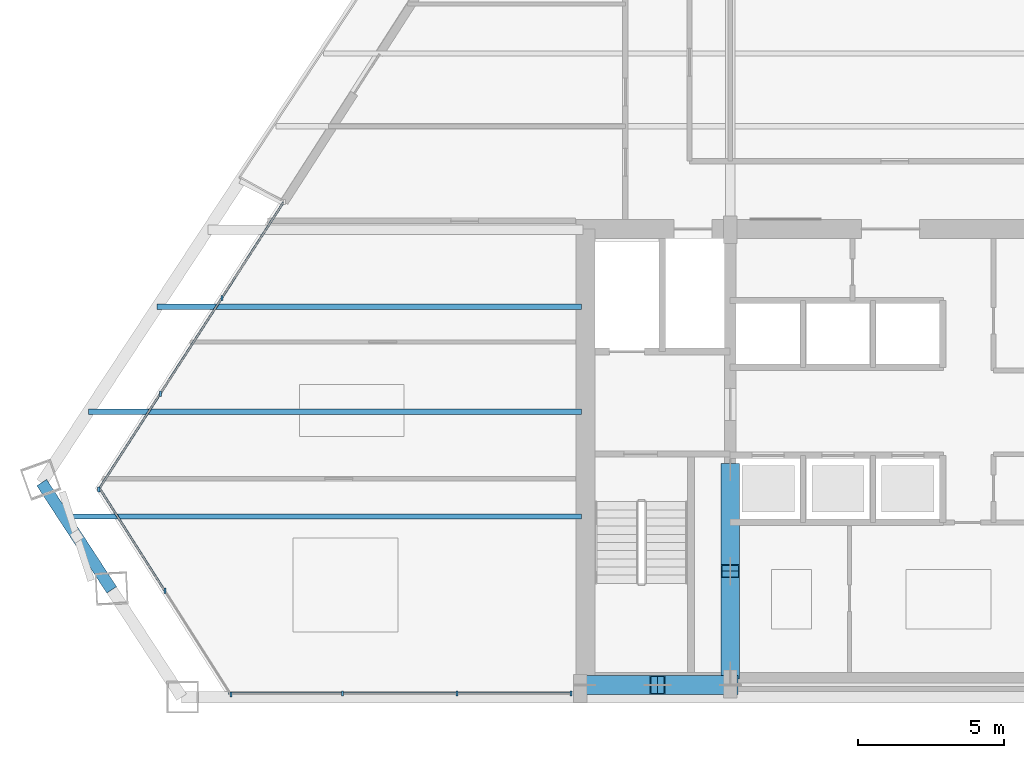
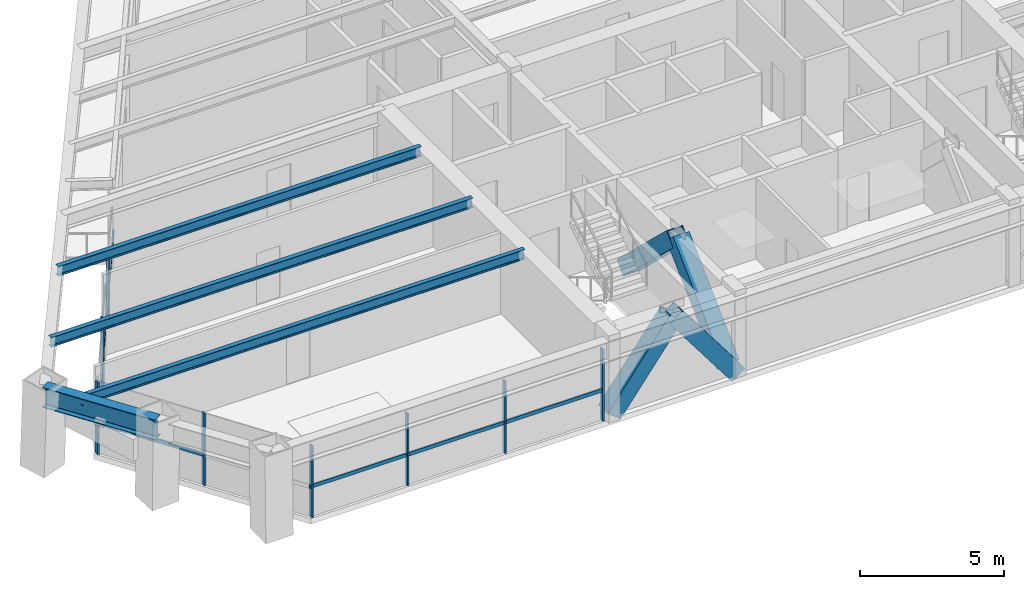
# One storey, part 2 of 16: 19 members, 4 beams, 3 elements without a shape of their own.
"""IFC4 building model written with IfcOpenShell, lengths in metres."""

from ifc_helpers import new_model, si_unit, direction, frame, origin, origin_2d, place, context, subcontext, project, spatial, rectangle, hollow_rectangle, i_section, extrude, source, transform, mapped, material, material_profile, profile_set, type_object, element, aggregate, save


model = new_model("IFC4")

# Units and contexts
model_context = context("Model", 3, precision=1e-05, world=origin(), true_north=direction((0.0, 1.0)))
body_context = subcontext(model_context, "Body", "Model", "MODEL_VIEW")
ifc_project = project(units=[si_unit("LENGTHUNIT", "METRE"), si_unit("AREAUNIT", "SQUARE_METRE"), si_unit("VOLUMEUNIT", "CUBIC_METRE"), si_unit("PLANEANGLEUNIT", "RADIAN"), si_unit("MASSUNIT", "GRAM", prefix="KILO")], contexts=[model_context])

# Site, building, storey
site_placement = place(None, origin())
site = spatial("IfcSite", under=ifc_project, at=site_placement, CompositionType="ELEMENT")
building_placement = place(site_placement, origin())
building = spatial("IfcBuilding", under=site, at=building_placement, Name="Varnakhor Terracotta Tower", CompositionType="ELEMENT")
storey_placement = place(building_placement, frame((0.0, 0.0, 151.5)))
storey = spatial("IfcBuildingStorey", under=building, at=storey_placement, Name="L38", CompositionType="ELEMENT", Elevation=151.5)

# Members
ifc_material_1 = material(Name="Steel S460", Category="steel")
ifc_material_profile_1 = material_profile(ifc_material_1, hollow_rectangle(XDim=0.64990234375, YDim=0.64990234375, WallThickness=0.0400390625, at=origin_2d()), Name="HSS650X650X40")
ifc_profile_set_1 = profile_set([ifc_material_profile_1], Name="Steel S460")
member_type_1 = type_object("IfcMemberType", Name="MBR-MEGA-650", PredefinedType="BRACE", material=ifc_profile_set_1)
shared_shape_1 = source(origin(), body_context, "Body", "SweptSolid", [
    extrude(hollow_rectangle(XDim=0.64990234375, YDim=0.64990234375, WallThickness=0.0400390625, at=origin_2d()), origin(), (0.0, 0.0, 1.0), 4.805908203125),
])
member_1_placement = place(storey_placement, frame((-5.5, 0.85009765625, 0.0), z_axis=(0.0, 0.723026776832, 0.69082000549), x_axis=(-1.0, 0.0, 0.0)))
element("IfcMember", 1, at=member_1_placement, inside=storey, type_object=member_type_1, Name="L38 Core Coupled Brace CWWA", PredefinedType="BRACE", context=body_context, shape_type="MappedRepresentation", body=[
    mapped(shared_shape_1, transform((0.0, 0.0, 0.0), scale=1.0)),
])
shared_shape_2 = source(origin(), body_context, "Body", "SweptSolid", [
    extrude(hollow_rectangle(XDim=0.64990234375, YDim=0.64990234375, WallThickness=0.0400390625, at=origin_2d()), origin(), (0.0, 0.0, 1.0), 4.156005859375),
])
for number, where, z_axis, x_axis, name in (
    (2, (-10.5, 0.419921875, 0.0), (0.601530923869, 0.0, 0.798849515009), (0.0, 1.0, 0.0), "L38 Core Coupled Brace CSWA"),
    (3, (-5.5, 0.419921875, 0.0), (-0.601530923869, 0.0, 0.798849515009), (0.0, -1.0, 0.0), "L38 Core Coupled Brace CSWB"),
):
    element("IfcMember", number, at=place(storey_placement, frame(where, z_axis=z_axis, x_axis=x_axis)), inside=storey, type_object=member_type_1, Name=name, PredefinedType="BRACE", context=body_context, shape_type="MappedRepresentation", body=[
        mapped(shared_shape_2, transform((0.0, 0.0, 0.0), scale=1.0)),
    ])
shared_shape_3 = source(origin(), body_context, "Body", "SweptSolid", [
    extrude(hollow_rectangle(XDim=0.64990234375, YDim=0.64990234375, WallThickness=0.0400390625, at=origin_2d()), origin(), (0.0, 0.0, 1.0), 4.80615234375),
])
member_2_placement = place(storey_placement, frame((-5.5, 7.800048828125, 0.0), z_axis=(0.0, -0.723051018573, 0.690794632681), x_axis=(1.0, 0.0, 0.0)))
element("IfcMember", 4, at=member_2_placement, inside=storey, type_object=member_type_1, Name="L38 Core Coupled Brace CWWB", PredefinedType="BRACE", context=body_context, shape_type="MappedRepresentation", body=[
    mapped(shared_shape_3, transform((0.0, 0.0, 0.0), scale=1.0)),
])

# Beams
ifc_material_2 = material(Name="Steel S355", Category="steel")
ifc_material_profile_2 = material_profile(ifc_material_2, i_section(OverallWidth=0.39990234375, OverallDepth=0.85498046875, WebThickness=0.01806640625, FlangeThickness=0.029052734375, FilletRadius=0.01806640625, at=origin_2d()), Name="W33X201")
ifc_profile_set_2 = profile_set([ifc_material_profile_2], Name="Steel S355")
beam_type_1 = type_object("IfcBeamType", Name="BM-W33X201", PredefinedType="BEAM", material=ifc_profile_set_2)
shared_shape_4 = source(origin(), body_context, "Body", "SweptSolid", [
    extrude(i_section(OverallWidth=0.39990234375, OverallDepth=0.85498046875, WebThickness=0.01806640625, FlangeThickness=0.029052734375, FilletRadius=0.01806640625, at=origin_2d()), origin(), (0.0, 0.0, 1.0), 4.3974609375),
])
beam_1_placement = place(storey_placement, frame((-29.13720703125, 7.36767578125, 3.04248046875), z_axis=(0.546125518313, -0.837703359339, 0.0), x_axis=(0.837703359339, 0.546125518313, 0.0)))
element("IfcBeam", 5, at=beam_1_placement, inside=storey, type_object=beam_type_1, Name="L38 Perimeter Spandrel 7", PredefinedType="BEAM", context=body_context, shape_type="MappedRepresentation", body=[
    mapped(shared_shape_4, transform((0.0, 0.0, 0.0), scale=1.0)),
])
ifc_material_profile_3 = material_profile(ifc_material_2, i_section(OverallWidth=0.179931640625, OverallDepth=0.4130859375, WebThickness=0.009765625, FlangeThickness=0.01611328125, FilletRadius=0.01806640625, at=origin_2d()), Name="W16X50")
ifc_profile_set_3 = profile_set([ifc_material_profile_3], Name="Steel S355")
beam_type_2 = type_object("IfcBeamType", Name="JST-W16X50", PredefinedType="JOIST", material=ifc_profile_set_3)
shared_shape_5 = source(origin(), body_context, "Body", "SweptSolid", [
    extrude(i_section(OverallWidth=0.179931640625, OverallDepth=0.4130859375, WebThickness=0.009765625, FlangeThickness=0.01611328125, FilletRadius=0.01806640625, at=origin_2d()), origin(), (0.0, 0.0, 1.0), 17.77587890625),
])
beam_2_placement = place(storey_placement, frame((-28.3759765625, 6.199951171875, 3.263427734375), z_axis=(1.0, 0.0, 0.0), x_axis=(0.0, 1.0, 0.0)))
element("IfcBeam", 6, at=beam_2_placement, inside=storey, type_object=beam_type_2, Name="L38 Floor Joist W1", PredefinedType="JOIST", context=body_context, shape_type="MappedRepresentation", body=[
    mapped(shared_shape_5, transform((0.0, 0.0, 0.0), scale=1.0)),
])
shared_shape_6 = source(origin(), body_context, "Body", "SweptSolid", [
    extrude(i_section(OverallWidth=0.179931640625, OverallDepth=0.4130859375, WebThickness=0.009765625, FlangeThickness=0.01611328125, FilletRadius=0.01806640625, at=origin_2d()), origin(), (0.0, 0.0, 1.0), 16.939208984375),
])
beam_3_placement = place(storey_placement, frame((-27.539306640625, 9.800048828125, 3.263427734375), z_axis=(1.0, 0.0, 0.0), x_axis=(0.0, 1.0, 0.0)))
element("IfcBeam", 7, at=beam_3_placement, inside=storey, type_object=beam_type_2, Name="L38 Floor Joist W2", PredefinedType="JOIST", context=body_context, shape_type="MappedRepresentation", body=[
    mapped(shared_shape_6, transform((0.0, 0.0, 0.0), scale=1.0)),
])
shared_shape_7 = source(origin(), body_context, "Body", "SweptSolid", [
    extrude(i_section(OverallWidth=0.179931640625, OverallDepth=0.4130859375, WebThickness=0.009765625, FlangeThickness=0.01611328125, FilletRadius=0.01806640625, at=origin_2d()), origin(), (0.0, 0.0, 1.0), 14.573974609375),
])
beam_4_placement = place(storey_placement, frame((-25.174072265625, 13.39990234375, 3.263427734375), z_axis=(1.0, 0.0, 0.0), x_axis=(0.0, 1.0, 0.0)))
element("IfcBeam", 8, at=beam_4_placement, inside=storey, type_object=beam_type_2, Name="L38 Floor Joist W3", PredefinedType="JOIST", context=body_context, shape_type="MappedRepresentation", body=[
    mapped(shared_shape_7, transform((0.0, 0.0, 0.0), scale=1.0)),
])

# Curtain wall, members
ifc_material_3 = material(Name="Anodised Aluminium Curtain Wall System", Category="aluminium")
curtain_wall_type = type_object("IfcCurtainWallType", Name="CW-SYS-MID-OFFICE", PredefinedType="NOTDEFINED", material=ifc_material_3)
curtain_wall_1_placement = place(storey_placement, origin())
curtain_wall_1 = element("IfcCurtainWall", 9, at=curtain_wall_1_placement, inside=storey, type_object=curtain_wall_type, Name="L38 W Facet Curtain Wall 1", PredefinedType="NOTDEFINED")
ifc_material_4 = material(Name="Anodised Aluminium 6063-T6", Category="aluminium")
ifc_material_profile_4 = material_profile(ifc_material_4, rectangle(XDim=0.070068359375, YDim=0.175048828125, at=origin_2d()), Name="ALU MULLION 70x175")
ifc_profile_set_4 = profile_set([ifc_material_profile_4], Name="Anodised Aluminium 6063-T6")
member_type_2 = type_object("IfcMemberType", Name="CWM-03", PredefinedType="MULLION", material=ifc_profile_set_4)
shared_shape_8 = source(origin(), body_context, "Body", "SweptSolid", [
    extrude(rectangle(XDim=0.070068359375, YDim=0.175048828125, at=origin_2d()), origin(), (0.0, 0.0, 1.0), 3.050048828125),
])
member_3_placement = place(storey_placement, frame((-27.178955078125, 7.13671875, 0.0), z_axis=(0.0, 0.0, 1.0), x_axis=(1.0, 0.0, 0.0)))
member_3 = element("IfcMember", 10, at=member_3_placement, type_object=member_type_2, Name="L38 W Facet Curtain Wall 1 Mullion 1", PredefinedType="MULLION", context=body_context, shape_type="MappedRepresentation", body=[
    mapped(shared_shape_8, transform((0.0, 0.0, 0.0), scale=1.0)),
])
member_4_placement = place(storey_placement, frame((-25.066650390625, 10.41845703125, 0.0), z_axis=(0.0, 0.0, 1.0), x_axis=(1.0, 0.0, 0.0)))
member_4 = element("IfcMember", 11, at=member_4_placement, type_object=member_type_2, Name="L38 W Facet Curtain Wall 1 Mullion 2", PredefinedType="MULLION", context=body_context, shape_type="MappedRepresentation", body=[
    mapped(shared_shape_8, transform((0.0, 0.0, 0.0), scale=1.0)),
])
member_5_placement = place(storey_placement, frame((-22.95458984375, 13.7001953125, 0.0), z_axis=(0.0, 0.0, 1.0), x_axis=(1.0, 0.0, 0.0)))
member_5 = element("IfcMember", 12, at=member_5_placement, type_object=member_type_2, Name="L38 W Facet Curtain Wall 1 Mullion 3", PredefinedType="MULLION", context=body_context, shape_type="MappedRepresentation", body=[
    mapped(shared_shape_8, transform((0.0, 0.0, 0.0), scale=1.0)),
])

curtain_wall_2_placement = place(storey_placement, origin())
curtain_wall_2 = element("IfcCurtainWall", 13, at=curtain_wall_2_placement, inside=storey, type_object=curtain_wall_type, Name="L38 South Wing Curtain Wall SSW", PredefinedType="NOTDEFINED")
member_6_placement = place(storey_placement, frame((-10.969970703125, 0.1201171875, 0.0), z_axis=(0.0, 0.0, 1.0), x_axis=(1.0, 0.0, 0.0)))
member_6 = element("IfcMember", 14, at=member_6_placement, type_object=member_type_2, Name="L38 South Wing Curtain Wall SSW Mullion 1", PredefinedType="MULLION", context=body_context, shape_type="MappedRepresentation", body=[
    mapped(shared_shape_8, transform((0.0, 0.0, 0.0), scale=1.0)),
])
member_7_placement = place(storey_placement, frame((-14.88671875, 0.1201171875, 0.0), z_axis=(0.0, 0.0, 1.0), x_axis=(1.0, 0.0, 0.0)))
member_7 = element("IfcMember", 15, at=member_7_placement, type_object=member_type_2, Name="L38 South Wing Curtain Wall SSW Mullion 2", PredefinedType="MULLION", context=body_context, shape_type="MappedRepresentation", body=[
    mapped(shared_shape_8, transform((0.0, 0.0, 0.0), scale=1.0)),
])
member_8_placement = place(storey_placement, frame((-18.8037109375, 0.1201171875, 0.0), z_axis=(0.0, 0.0, 1.0), x_axis=(1.0, 0.0, 0.0)))
member_8 = element("IfcMember", 16, at=member_8_placement, type_object=member_type_2, Name="L38 South Wing Curtain Wall SSW Mullion 3", PredefinedType="MULLION", context=body_context, shape_type="MappedRepresentation", body=[
    mapped(shared_shape_8, transform((0.0, 0.0, 0.0), scale=1.0)),
])

curtain_wall_3_placement = place(storey_placement, origin())
curtain_wall_3 = element("IfcCurtainWall", 17, at=curtain_wall_3_placement, inside=storey, type_object=curtain_wall_type, Name="L38 Facet Curtain Wall 6", PredefinedType="NOTDEFINED")
member_9_placement = place(storey_placement, frame((-22.6455078125, 0.089599609375, 0.0), z_axis=(0.0, 0.0, 1.0), x_axis=(1.0, 0.0, 0.0)))
member_9 = element("IfcMember", 18, at=member_9_placement, type_object=member_type_2, Name="L38 Facet Curtain Wall 6 Mullion 1", PredefinedType="MULLION", context=body_context, shape_type="MappedRepresentation", body=[
    mapped(shared_shape_8, transform((0.0, 0.0, 0.0), scale=1.0)),
])
member_10_placement = place(storey_placement, frame((-24.912109375, 3.652587890625, 0.0), z_axis=(0.0, 0.0, 1.0), x_axis=(1.0, 0.0, 0.0)))
member_10 = element("IfcMember", 19, at=member_10_placement, type_object=member_type_2, Name="L38 Facet Curtain Wall 6 Mullion 2", PredefinedType="MULLION", context=body_context, shape_type="MappedRepresentation", body=[
    mapped(shared_shape_8, transform((0.0, 0.0, 0.0), scale=1.0)),
])

# Member
ifc_material_profile_5 = material_profile(ifc_material_4, rectangle(XDim=0.070068359375, YDim=0.155029296875, at=origin_2d()), Name="ALU TRANSOM 70x155")
ifc_profile_set_5 = profile_set([ifc_material_profile_5], Name="Anodised Aluminium 6063-T6")
member_type_3 = type_object("IfcMemberType", Name="CWT-03", PredefinedType="USERDEFINED", material=ifc_profile_set_5)
shared_shape_9 = source(origin(), body_context, "Body", "SweptSolid", [
    extrude(rectangle(XDim=0.070068359375, YDim=0.155029296875, at=origin_2d()), origin(), (0.0, 0.0, 1.0), 3.90283203125),
])
member_11_placement = place(storey_placement, frame((-27.178955078125, 7.13671875, 1.281005859375), z_axis=(0.541231754218, 0.840873467429, 0.0), x_axis=(-0.840873467429, 0.541231754218, 0.0)))
member_11 = element("IfcMember", 20, at=member_11_placement, type_object=member_type_3, Name="L38 W Facet Curtain Wall 1 Transom 1", ObjectType="TRANSOM", PredefinedType="USERDEFINED", context=body_context, shape_type="MappedRepresentation", body=[
    mapped(shared_shape_9, transform((0.0, 0.0, 0.0), scale=1.0)),
])

member_12_placement = place(storey_placement, frame((-22.95458984375, 13.7001953125, 1.281005859375), z_axis=(0.541231754218, 0.840873467429, 0.0), x_axis=(-0.840873467429, 0.541231754218, 0.0)))
member_12 = element("IfcMember", 21, at=member_12_placement, type_object=member_type_3, Name="L38 W Facet Curtain Wall 1 Transom 3", ObjectType="TRANSOM", PredefinedType="USERDEFINED", context=body_context, shape_type="MappedRepresentation", body=[
    mapped(shared_shape_9, transform((0.0, 0.0, 0.0), scale=1.0)),
])

shared_shape_10 = source(origin(), body_context, "Body", "SweptSolid", [
    extrude(rectangle(XDim=0.070068359375, YDim=0.155029296875, at=origin_2d()), origin(), (0.0, 0.0, 1.0), 3.902587890625),
])
member_13_placement = place(storey_placement, frame((-25.066650390625, 10.41845703125, 1.281005859375), z_axis=(0.541187520839, 0.840901936784, 0.0), x_axis=(-0.840901936784, 0.541187520839, 0.0)))
member_13 = element("IfcMember", 22, at=member_13_placement, type_object=member_type_3, Name="L38 W Facet Curtain Wall 1 Transom 2", ObjectType="TRANSOM", PredefinedType="USERDEFINED", context=body_context, shape_type="MappedRepresentation", body=[
    mapped(shared_shape_10, transform((0.0, 0.0, 0.0), scale=1.0)),
])

aggregate(curtain_wall_1, [member_3, member_11, member_4, member_13, member_5, member_12])

shared_shape_11 = source(origin(), body_context, "Body", "SweptSolid", [
    extrude(rectangle(XDim=0.070068359375, YDim=0.155029296875, at=origin_2d()), origin(), (0.0, 0.0, 1.0), 3.916748046875),
])
member_14_placement = place(storey_placement, frame((-10.969970703125, 0.1201171875, 1.281005859375), z_axis=(-1.0, 0.0, 0.0), x_axis=(0.0, -1.0, 0.0)))
member_14 = element("IfcMember", 23, at=member_14_placement, type_object=member_type_3, Name="L38 South Wing Curtain Wall SSW Transom 1", ObjectType="TRANSOM", PredefinedType="USERDEFINED", context=body_context, shape_type="MappedRepresentation", body=[
    mapped(shared_shape_11, transform((0.0, 0.0, 0.0), scale=1.0)),
])

member_15_placement = place(storey_placement, frame((-18.8037109375, 0.1201171875, 1.281005859375), z_axis=(-1.0, 0.0, 0.0), x_axis=(0.0, -1.0, 0.0)))
member_15 = element("IfcMember", 24, at=member_15_placement, type_object=member_type_3, Name="L38 South Wing Curtain Wall SSW Transom 3", ObjectType="TRANSOM", PredefinedType="USERDEFINED", context=body_context, shape_type="MappedRepresentation", body=[
    mapped(shared_shape_11, transform((0.0, 0.0, 0.0), scale=1.0)),
])

shared_shape_12 = source(origin(), body_context, "Body", "SweptSolid", [
    extrude(rectangle(XDim=0.070068359375, YDim=0.155029296875, at=origin_2d()), origin(), (0.0, 0.0, 1.0), 3.9169921875),
])
member_16_placement = place(storey_placement, frame((-14.88671875, 0.1201171875, 1.281005859375), z_axis=(-1.0, 0.0, 0.0), x_axis=(0.0, -1.0, 0.0)))
member_16 = element("IfcMember", 25, at=member_16_placement, type_object=member_type_3, Name="L38 South Wing Curtain Wall SSW Transom 2", ObjectType="TRANSOM", PredefinedType="USERDEFINED", context=body_context, shape_type="MappedRepresentation", body=[
    mapped(shared_shape_12, transform((0.0, 0.0, 0.0), scale=1.0)),
])

aggregate(curtain_wall_2, [member_6, member_14, member_7, member_16, member_8, member_15])

shared_shape_13 = source(origin(), body_context, "Body", "SweptSolid", [
    extrude(rectangle(XDim=0.070068359375, YDim=0.155029296875, at=origin_2d()), origin(), (0.0, 0.0, 1.0), 4.222900390625),
])
member_17_placement = place(storey_placement, frame((-24.912109375, 3.652587890625, 1.281005859375), z_axis=(-0.536748294553, 0.843742418215, 0.0), x_axis=(-0.843742418215, -0.536748294553, 0.0)))
member_17 = element("IfcMember", 26, at=member_17_placement, type_object=member_type_3, Name="L38 Facet Curtain Wall 6 Transom 2", ObjectType="TRANSOM", PredefinedType="USERDEFINED", context=body_context, shape_type="MappedRepresentation", body=[
    mapped(shared_shape_13, transform((0.0, 0.0, 0.0), scale=1.0)),
])

aggregate(curtain_wall_3, [member_9, member_10, member_17])

save(model, "model.ifc")
